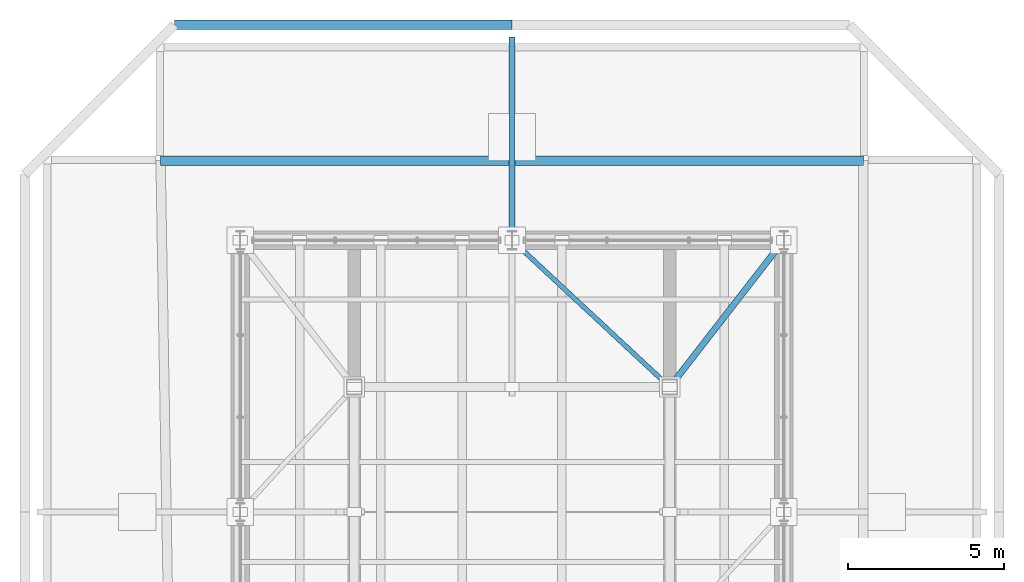
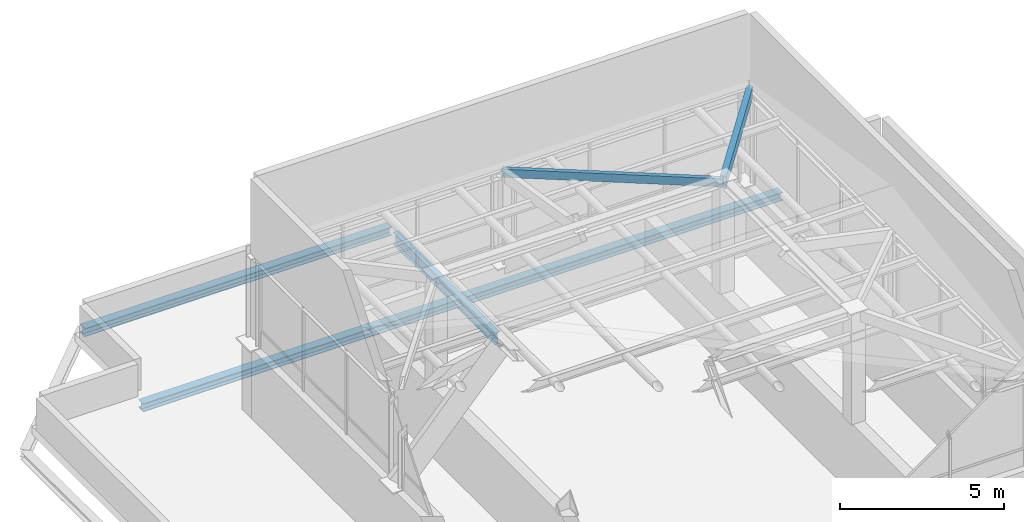
# One storey, part 17 of 22: 4 beams, 1 member.
"""IFC4 building model written with IfcOpenShell, lengths in metres."""

from ifc_helpers import new_model, si_unit, direction, frame, origin, origin_2d, place, context, subcontext, project, spatial, hollow_rectangle, i_section, extrude, material, material_profile, profile_set, type_object, element, save


model = new_model("IFC4")

# Units and contexts
model_context = context("Model", 3, precision=1e-05, world=origin(), true_north=direction((0.0, 1.0)))
body_context = subcontext(model_context, "Body", "Model", "MODEL_VIEW")
ifc_project = project(units=[si_unit("LENGTHUNIT", "METRE"), si_unit("AREAUNIT", "SQUARE_METRE"), si_unit("VOLUMEUNIT", "CUBIC_METRE"), si_unit("PLANEANGLEUNIT", "RADIAN"), si_unit("MASSUNIT", "GRAM", prefix="KILO")], contexts=[model_context])

# Site, building, storey
site_placement = place(None, origin())
site = spatial("IfcSite", under=ifc_project, at=site_placement, CompositionType="ELEMENT")
building_placement = place(site_placement, origin())
building = spatial("IfcBuilding", under=site, at=building_placement, Name="Belovzor Exchange Tower", CompositionType="ELEMENT")
storey_placement = place(building_placement, frame((0.0, 0.0, 378.60009765625)))
storey = spatial("IfcBuildingStorey", under=building, at=storey_placement, Name="RF", CompositionType="ELEMENT", Elevation=378.60009765625)

# Beams
ifc_material_1 = material(Name="Steel S355", Category="steel")
ifc_material_profile_1 = material_profile(ifc_material_1, hollow_rectangle(XDim=0.199951171875, YDim=0.39990234375, WallThickness=0.012451171875, at=origin_2d()))
ifc_profile_set_1 = profile_set([ifc_material_profile_1], Name="Steel S355")
beam_type_1 = type_object("IfcBeamType", Name="Crown Faceted Roof Rafter RHS 400x200x12.5", PredefinedType="BEAM", material=ifc_profile_set_1)
beam_1_placement = place(storey_placement, frame((37.5, 37.5, 5.7998046875), z_axis=(-0.608281083468, -0.783278872096, 0.128328999148), x_axis=(0.789809290804, -0.613352495845, 0.0)))
element("IfcBeam", 1, at=beam_1_placement, inside=storey, type_object=beam_type_1, Name="RR-400 Crown Faceted Roof Rafter RHS 400x200x12.5", PredefinedType="BEAM", context=body_context, shape_type="SweptSolid", body=[
    extrude(hollow_rectangle(XDim=0.199951171875, YDim=0.39990234375, WallThickness=0.012451171875, at=origin_2d()), origin(), (0.0, 0.0, 1.0), 6.000244140625),
])
ifc_material_2 = material(Name="Steel S355", Category="steel")
ifc_material_profile_2 = material_profile(ifc_material_2, i_section(OverallWidth=0.300048828125, OverallDepth=0.300048828125, WebThickness=0.010986328125, FlangeThickness=0.01904296875, at=origin_2d()))
ifc_profile_set_2 = profile_set([ifc_material_profile_2], Name="Steel S355")
beam_type_2 = type_object("IfcBeamType", Name="Crown Plant Primary Beam HEB 300", PredefinedType="BEAM", material=ifc_profile_set_2)
beam_2_placement = place(storey_placement, frame((28.800048828125, 44.39990234375, -0.4501953125), z_axis=(-1.0, 0.0, 0.0), x_axis=(0.0, -1.0, 0.0)))
element("IfcBeam", 2, at=beam_2_placement, inside=storey, type_object=beam_type_2, Name="FG-CR Crown Plant Primary Beam HEB 300", PredefinedType="BEAM", context=body_context, shape_type="SweptSolid", body=[
    extrude(i_section(OverallWidth=0.300048828125, OverallDepth=0.300048828125, WebThickness=0.010986328125, FlangeThickness=0.01904296875, at=origin_2d()), origin(), (0.0, 0.0, 1.0), 10.800048828125),
])
beam_3_placement = place(storey_placement, frame((40.050048828125, 40.050048828125, -0.4501953125), z_axis=(-1.0, 0.0, 0.0), x_axis=(0.0, -1.0, 0.0)))
element("IfcBeam", 3, at=beam_3_placement, inside=storey, type_object=beam_type_2, Name="FG-CR Crown Plant Primary Beam HEB 300", PredefinedType="BEAM", context=body_context, shape_type="SweptSolid", body=[
    extrude(i_section(OverallWidth=0.300048828125, OverallDepth=0.300048828125, WebThickness=0.010986328125, FlangeThickness=0.01904296875, at=origin_2d()), origin(), (0.0, 0.0, 1.0), 22.5),
])

# Member
ifc_material_3 = material(Name="Steel S355", Category="steel")
ifc_material_profile_3 = material_profile(ifc_material_3, hollow_rectangle(XDim=0.14990234375, YDim=0.300048828125, WallThickness=0.010009765625, at=origin_2d()))
ifc_profile_set_3 = profile_set([ifc_material_profile_3], Name="Steel S355")
member_type = type_object("IfcMemberType", Name="Crown Portal Knee Brace RHS 300x150x10", PredefinedType="BRACE", material=ifc_profile_set_3)
member_placement = place(storey_placement, frame((28.800048828125, 37.5, 5.849853515625), z_axis=(0.728071234494, -0.677597260587, 0.103798988181), x_axis=(0.681277319128, 0.732025419259, 0.0)))
element("IfcMember", 4, at=member_placement, inside=storey, type_object=member_type, Name="CB-220 Crown Portal Knee Brace RHS 300x150x10", PredefinedType="BRACE", context=body_context, shape_type="SweptSolid", body=[
    extrude(hollow_rectangle(XDim=0.14990234375, YDim=0.300048828125, WallThickness=0.010009765625, at=origin_2d()), origin(), (0.0, 0.0, 1.0), 6.936279296875),
])

# Beam
ifc_material_4 = material(Name="Steel S355", Category="steel")
ifc_material_profile_4 = material_profile(ifc_material_4, i_section(OverallWidth=0.18994140625, OverallDepth=0.449951171875, WebThickness=0.009521484375, FlangeThickness=0.0146484375, at=origin_2d()))
ifc_profile_set_4 = profile_set([ifc_material_profile_4], Name="Steel S355")
beam_type_3 = type_object("IfcBeamType", Name="Zone 2-4 Radial Composite Floor Beam IPE 450", PredefinedType="BEAM", material=ifc_profile_set_4)
beam_4_placement = place(storey_placement, frame((28.800048828125, 37.800048828125, -0.525146484375), z_axis=(0.0, 1.0, 0.0), x_axis=(-1.0, 0.0, 0.0)))
element("IfcBeam", 5, at=beam_4_placement, inside=storey, type_object=beam_type_3, Name="FB-450 Zone 2-4 Radial Composite Floor Beam IPE 450", PredefinedType="BEAM", context=body_context, shape_type="SweptSolid", body=[
    extrude(i_section(OverallWidth=0.18994140625, OverallDepth=0.449951171875, WebThickness=0.009521484375, FlangeThickness=0.0146484375, at=origin_2d()), origin(), (0.0, 0.0, 1.0), 6.199951171875),
])

save(model, "model.ifc")
